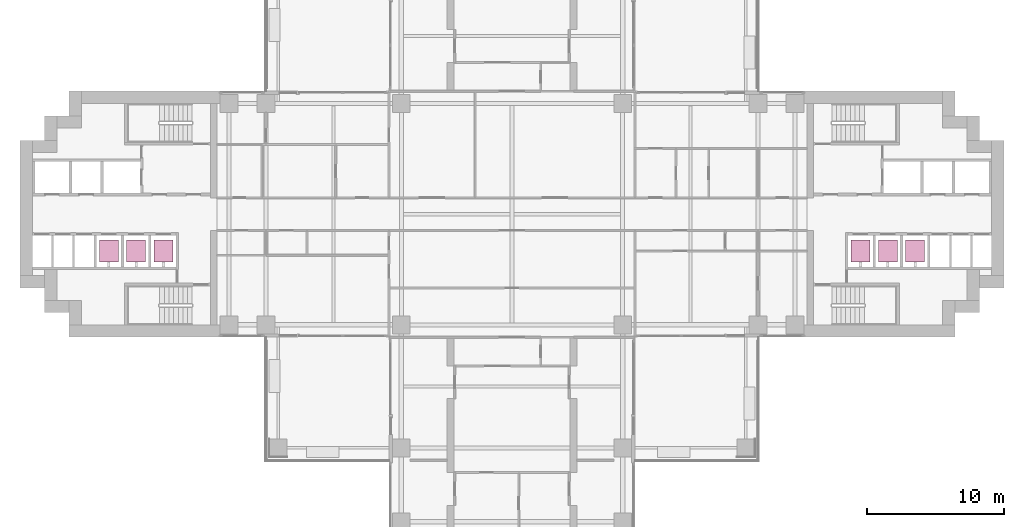
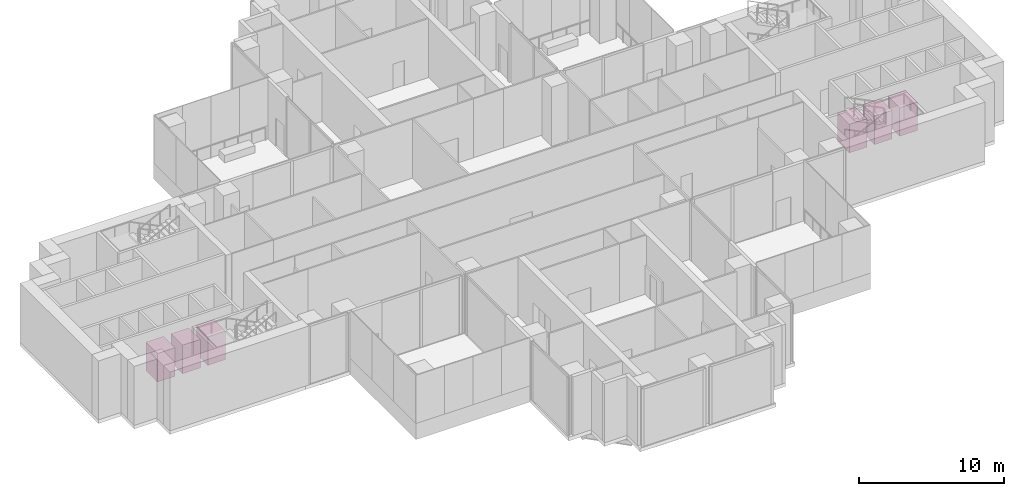
# One storey, part 17 of 17: 6 transport elements.
"""IFC4 building model written with IfcOpenShell, lengths in metres."""

from ifc_helpers import new_model, si_unit, direction, frame, origin, origin_2d, place, context, subcontext, project, spatial, rectangle, extrude, material, type_object, element, save


model = new_model("IFC4")

# Units and contexts
model_context = context("Model", 3, precision=1e-05, world=origin(), true_north=direction((0.0, 1.0)))
body_context = subcontext(model_context, "Body", "Model", "MODEL_VIEW")
ifc_project = project(units=[si_unit("LENGTHUNIT", "METRE"), si_unit("AREAUNIT", "SQUARE_METRE"), si_unit("VOLUMEUNIT", "CUBIC_METRE"), si_unit("PLANEANGLEUNIT", "RADIAN"), si_unit("MASSUNIT", "GRAM", prefix="KILO")], contexts=[model_context])

# Site, building, storey
site_placement = place(None, origin())
site = spatial("IfcSite", under=ifc_project, at=site_placement, CompositionType="ELEMENT")
building_placement = place(site_placement, origin())
building = spatial("IfcBuilding", under=site, at=building_placement, Name="Perihelion Cross Residences", CompositionType="ELEMENT")
storey_placement = place(building_placement, frame((0.0, 0.0, 92.5)))
storey = spatial("IfcBuildingStorey", under=building, at=storey_placement, Name="L21", CompositionType="ELEMENT", Elevation=92.5)

# Transport elements
ifc_material = material(Name="High-rise lift car 1400x1600")
transport_element_type = type_object("IfcTransportElementType", Name="High-rise lift car 1400x1600", PredefinedType="ELEVATOR", material=ifc_material)
for number, where, z_axis, x_axis, name in (
    (1, (25.5, -2.699951171875, 0.0), (0.0, 0.0, 1.0), (1.0, 0.0, 0.0), "East core high-rise lift 1"),
    (2, (27.5, -2.699951171875, 0.0), (0.0, 0.0, 1.0), (1.0, 0.0, 0.0), "East core high-rise lift 2"),
    (3, (29.5, -2.699951171875, 0.0), (0.0, 0.0, 1.0), (1.0, 0.0, 0.0), "East core high-rise lift 3"),
    (4, (-25.5, -2.699951171875, 0.0), (0.0, 0.0, 1.0), (1.0, 0.0, 0.0), "West core high-rise lift 1"),
    (5, (-27.5, -2.699951171875, 0.0), (0.0, 0.0, 1.0), (1.0, 0.0, 0.0), "West core high-rise lift 2"),
    (6, (-29.5, -2.699951171875, 0.0), (0.0, 0.0, 1.0), (1.0, 0.0, 0.0), "West core high-rise lift 3"),
):
    element("IfcTransportElement", number, at=place(storey_placement, frame(where, z_axis=z_axis, x_axis=x_axis)), inside=storey, type_object=transport_element_type, Name=name, PredefinedType="ELEVATOR", context=body_context, shape_type="SweptSolid", body=[
        extrude(rectangle(XDim=1.39990234375, YDim=1.60009765625, at=origin_2d()), origin(), (0.0, 0.0, 1.0), 2.39990234375),
    ])

save(model, "model.ifc")
